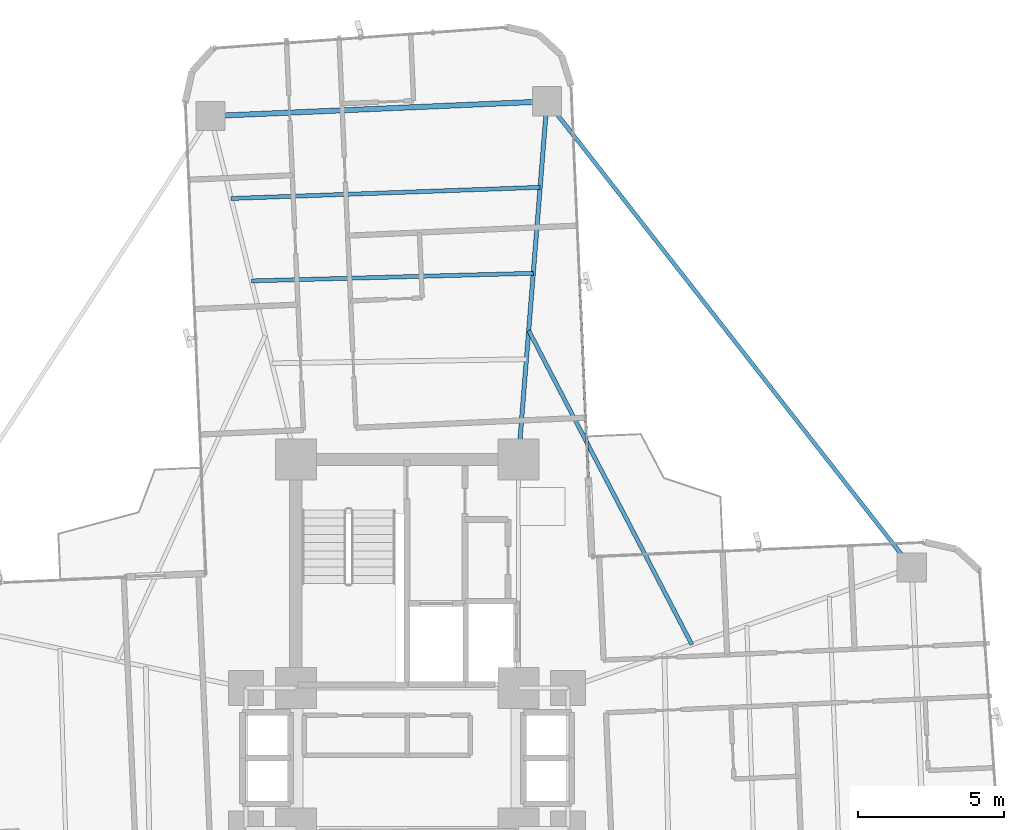
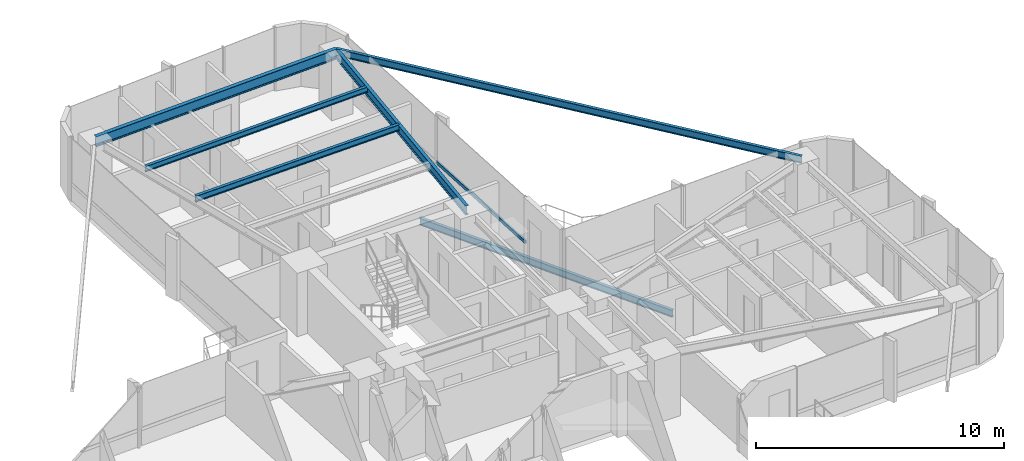
# One storey, part 18 of 26: 6 beams, 1 member, 1 element without a shape of its own.
"""IFC4 building model written with IfcOpenShell, lengths in metres."""

from ifc_helpers import new_model, si_unit, direction, frame, origin, origin_2d, place, context, subcontext, project, spatial, hollow_rectangle, i_section, extrude, source, transform, mapped, material, material_profile, profile_set, type_object, element, aggregate, save


model = new_model("IFC4")

# Units and contexts
model_context = context("Model", 3, precision=1e-05, world=origin(), true_north=direction((0.0, 1.0)))
body_context = subcontext(model_context, "Body", "Model", "MODEL_VIEW")
ifc_project = project(units=[si_unit("LENGTHUNIT", "METRE"), si_unit("AREAUNIT", "SQUARE_METRE"), si_unit("VOLUMEUNIT", "CUBIC_METRE"), si_unit("PLANEANGLEUNIT", "RADIAN"), si_unit("MASSUNIT", "GRAM", prefix="KILO")], contexts=[model_context])

# Site, building, storey
site_placement = place(None, origin())
site = spatial("IfcSite", under=ifc_project, at=site_placement, CompositionType="ELEMENT")
building_placement = place(site_placement, origin())
building = spatial("IfcBuilding", under=site, at=building_placement, Name="Sahyath Konkavel Grand Hotel", CompositionType="ELEMENT")
storey_placement = place(building_placement, frame((0.0, 0.0, 83.5)))
storey = spatial("IfcBuildingStorey", under=building, at=storey_placement, Name="L22", CompositionType="ELEMENT", Elevation=83.5)

# Beams
ifc_material_1 = material(Name="Steel E350", Category="steel")
ifc_material_profile_1 = material_profile(ifc_material_1, i_section(OverallWidth=0.14990234375, OverallDepth=0.449951171875, WebThickness=0.009521484375, FlangeThickness=0.017333984375, FilletRadius=0.014892578125, at=origin_2d()), Name="ISMB 450")
ifc_profile_set_1 = profile_set([ifc_material_profile_1], Name="Steel E350")
beam_type_1 = type_object("IfcBeamType", Name="BM-ISMB450", PredefinedType="BEAM", material=ifc_profile_set_1)
shared_shape_1 = source(origin(), body_context, "Body", "SweptSolid", [
    extrude(i_section(OverallWidth=0.14990234375, OverallDepth=0.449951171875, WebThickness=0.009521484375, FlangeThickness=0.017333984375, FilletRadius=0.014892578125, at=origin_2d()), origin(), (0.0, 0.0, 1.0), 12.2685546875),
])
beam_1_placement = place(storey_placement, frame((3.800048828125, 10.199951171875, 2.885009765625), z_axis=(0.079558563357, 0.996830193662, 0.0), x_axis=(-0.996830193662, 0.079558563357, 0.0)))
element("IfcBeam", 1, at=beam_1_placement, inside=storey, type_object=beam_type_1, Name="L22 Cruciform Radial Girder NA", PredefinedType="BEAM", context=body_context, shape_type="MappedRepresentation", body=[
    mapped(shared_shape_1, transform((0.0, 0.0, 0.0), scale=1.0)),
])
ifc_material_profile_2 = material_profile(ifc_material_1, i_section(OverallWidth=0.179931640625, OverallDepth=0.5, WebThickness=0.01025390625, FlangeThickness=0.01708984375, FilletRadius=0.01708984375, at=origin_2d()), Name="ISMB 500")
ifc_profile_set_2 = profile_set([ifc_material_profile_2], Name="Steel E350")
beam_type_2 = type_object("IfcBeamType", Name="BM-ISMB500", PredefinedType="BEAM", material=ifc_profile_set_2)
shared_shape_2 = source(origin(), body_context, "Body", "SweptSolid", [
    extrude(i_section(OverallWidth=0.179931640625, OverallDepth=0.5, WebThickness=0.01025390625, FlangeThickness=0.01708984375, FilletRadius=0.01708984375, at=origin_2d()), origin(), (0.0, 0.0, 1.0), 11.5),
])
beam_2_placement = place(storey_placement, frame((4.776123046875, 22.4296875, 2.860107421875), z_axis=(-0.99904788879, -0.043627008892, 0.0), x_axis=(0.043627008892, -0.99904788879, 0.0)))
element("IfcBeam", 2, at=beam_2_placement, inside=storey, type_object=beam_type_2, Name="L22 Wing Tip Edge Beam N", PredefinedType="BEAM", context=body_context, shape_type="MappedRepresentation", body=[
    mapped(shared_shape_2, transform((0.0, 0.0, 0.0), scale=1.0)),
])
ifc_material_profile_3 = material_profile(ifc_material_1, i_section(OverallWidth=0.139892578125, OverallDepth=0.35009765625, WebThickness=0.008056640625, FlangeThickness=0.01416015625, FilletRadius=0.013916015625, at=origin_2d()), Name="ISMB 350")
ifc_profile_set_3 = profile_set([ifc_material_profile_3], Name="Steel E350")
beam_type_3 = type_object("IfcBeamType", Name="BM-ISMB350", PredefinedType="BEAM", material=ifc_profile_set_3)
shared_shape_3 = source(origin(), body_context, "Body", "SweptSolid", [
    extrude(i_section(OverallWidth=0.139892578125, OverallDepth=0.35009765625, WebThickness=0.008056640625, FlangeThickness=0.01416015625, FilletRadius=0.013916015625, at=origin_2d()), origin(), (0.0, 0.0, 1.0), 20.215576171875),
])
beam_3_placement = place(storey_placement, frame((17.232421875, 6.5078125, 2.93505859375), z_axis=(-0.616176369687, 0.787608203004, 0.0), x_axis=(-0.787608203004, -0.616176369687, 0.0)))
element("IfcBeam", 3, at=beam_3_placement, inside=storey, type_object=beam_type_3, Name="L22 Re-Entrant Tie Beam NE", PredefinedType="BEAM", context=body_context, shape_type="MappedRepresentation", body=[
    mapped(shared_shape_3, transform((0.0, 0.0, 0.0), scale=1.0)),
])
ifc_material_profile_4 = material_profile(ifc_material_1, i_section(OverallWidth=0.139892578125, OverallDepth=0.300048828125, WebThickness=0.0078125, FlangeThickness=0.01318359375, FilletRadius=0.013916015625, at=origin_2d()), Name="ISMB 300")
ifc_profile_set_4 = profile_set([ifc_material_profile_4], Name="Steel E350")
beam_type_4 = type_object("IfcBeamType", Name="BM-ISMB300", PredefinedType="BEAM", material=ifc_profile_set_4)
shared_shape_4 = source(origin(), body_context, "Body", "SweptSolid", [
    extrude(i_section(OverallWidth=0.139892578125, OverallDepth=0.300048828125, WebThickness=0.0078125, FlangeThickness=0.01318359375, FilletRadius=0.013916015625, at=origin_2d()), origin(), (0.0, 0.0, 1.0), 9.625732421875),
])
beam_4_placement = place(storey_placement, frame((4.3076171875, 16.559326171875, 2.9599609375), z_axis=(-0.999633060528, -0.027087714933, 0.0), x_axis=(0.027087714933, -0.999633060528, 0.0)))
element("IfcBeam", 4, at=beam_4_placement, inside=storey, type_object=beam_type_4, Name="L22 Secondary Floor Beam N-2", PredefinedType="BEAM", context=body_context, shape_type="MappedRepresentation", body=[
    mapped(shared_shape_4, transform((0.0, 0.0, 0.0), scale=1.0)),
])
ifc_material_profile_5 = material_profile(ifc_material_1, i_section(OverallWidth=0.139892578125, OverallDepth=0.27490234375, WebThickness=0.00634765625, FlangeThickness=0.0087890625, FilletRadius=0.012939453125, at=origin_2d()), Name="ISLB 275")
ifc_profile_set_5 = profile_set([ifc_material_profile_5], Name="Steel E350")
beam_type_5 = type_object("IfcBeamType", Name="BM-ISLB275", PredefinedType="BEAM", material=ifc_profile_set_5)
shared_shape_5 = source(origin(), body_context, "Body", "SweptSolid", [
    extrude(i_section(OverallWidth=0.139892578125, OverallDepth=0.27490234375, WebThickness=0.00634765625, FlangeThickness=0.0087890625, FilletRadius=0.012939453125, at=origin_2d()), origin(), (0.0, 0.0, 1.0), 10.562744140625),
])
beam_5_placement = place(storey_placement, frame((4.5419921875, 19.49462890625, 2.972412109375), z_axis=(-0.999348077295, -0.036102914095, 0.0), x_axis=(0.036102914095, -0.999348077295, 0.0)))
element("IfcBeam", 5, at=beam_5_placement, inside=storey, type_object=beam_type_5, Name="L22 Secondary Floor Beam N-3", PredefinedType="BEAM", context=body_context, shape_type="MappedRepresentation", body=[
    mapped(shared_shape_5, transform((0.0, 0.0, 0.0), scale=1.0)),
])

# Curtain wall, member
ifc_material_2 = material(Name="Anodised Bronze Aluminium & Low-E Glazing", Category="aluminium")
curtain_wall_type = type_object("IfcCurtainWallType", Name="CW-ZONE2", PredefinedType="NOTDEFINED", material=ifc_material_2)
curtain_wall_placement = place(storey_placement, origin())
curtain_wall = element("IfcCurtainWall", 6, at=curtain_wall_placement, inside=storey, type_object=curtain_wall_type, Name="L22 Unitised Curtain Wall F8", PredefinedType="NOTDEFINED")
ifc_material_3 = material(Name="Anodised Bronze Aluminium", Category="aluminium")
ifc_material_profile_6 = material_profile(ifc_material_3, hollow_rectangle(XDim=0.080078125, YDim=0.159912109375, WallThickness=0.006103515625, at=origin_2d()), Name="RHS 160x80x6")
ifc_profile_set_6 = profile_set([ifc_material_profile_6], Name="Anodised Bronze Aluminium")
member_type = type_object("IfcMemberType", Name="CW-TRN-160", PredefinedType="USERDEFINED", material=ifc_profile_set_6)
shared_shape_6 = source(origin(), body_context, "Body", "SweptSolid", [
    extrude(hollow_rectangle(XDim=0.080078125, YDim=0.159912109375, WallThickness=0.006103515625, at=origin_2d()), origin(), (0.0, 0.0, 1.0), 6.66015625),
])
member_placement = place(storey_placement, frame((6.186279296875, 9.618896484375, 0.85009765625), z_axis=(-0.043621753165, 0.999048118286, 0.0), x_axis=(-0.999048118286, -0.043621753165, 0.0)))
member = element("IfcMember", 7, at=member_placement, type_object=member_type, Name="L22 Curtain Wall Transom F8-0-spandrel", ObjectType="TRANSOM", PredefinedType="USERDEFINED", context=body_context, shape_type="MappedRepresentation", body=[
    mapped(shared_shape_6, transform((0.0, 0.0, 0.0), scale=1.0)),
])
aggregate(curtain_wall, [member])

# Beam
ifc_material_profile_7 = material_profile(ifc_material_1, i_section(OverallWidth=0.139892578125, OverallDepth=0.35009765625, WebThickness=0.008056640625, FlangeThickness=0.01416015625, FilletRadius=0.013916015625, at=origin_2d()), Name="ISMB 350")
ifc_profile_set_7 = profile_set([ifc_material_profile_7], Name="Steel E350")
beam_type_6 = type_object("IfcBeamType", Name="BM-BALC-CANT", PredefinedType="BEAM", material=ifc_profile_set_7)
shared_shape_7 = source(origin(), body_context, "Body", "SweptSolid", [
    extrude(i_section(OverallWidth=0.139892578125, OverallDepth=0.35009765625, WebThickness=0.008056640625, FlangeThickness=0.01416015625, FilletRadius=0.013916015625, at=origin_2d()), origin(), (0.0, 0.0, 1.0), 12.085205078125),
])
beam_6_placement = place(storey_placement, frame((9.7236328125, 3.87890625, -0.4150390625), z_axis=(-0.461082384626, 0.887357331962, 0.0), x_axis=(-0.887357331962, -0.461082384626, 0.0)))
element("IfcBeam", 8, at=beam_6_placement, inside=storey, type_object=beam_type_6, Name="L22 Balcony Cantilever Support Beam NE", PredefinedType="BEAM", context=body_context, shape_type="MappedRepresentation", body=[
    mapped(shared_shape_7, transform((0.0, 0.0, 0.0), scale=1.0)),
])

save(model, "model.ifc")
